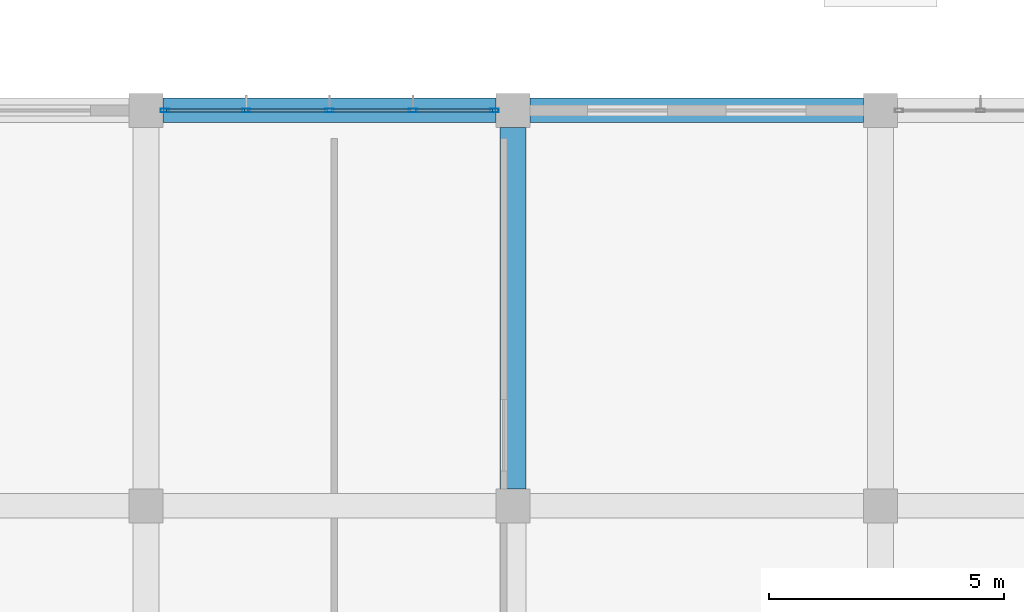
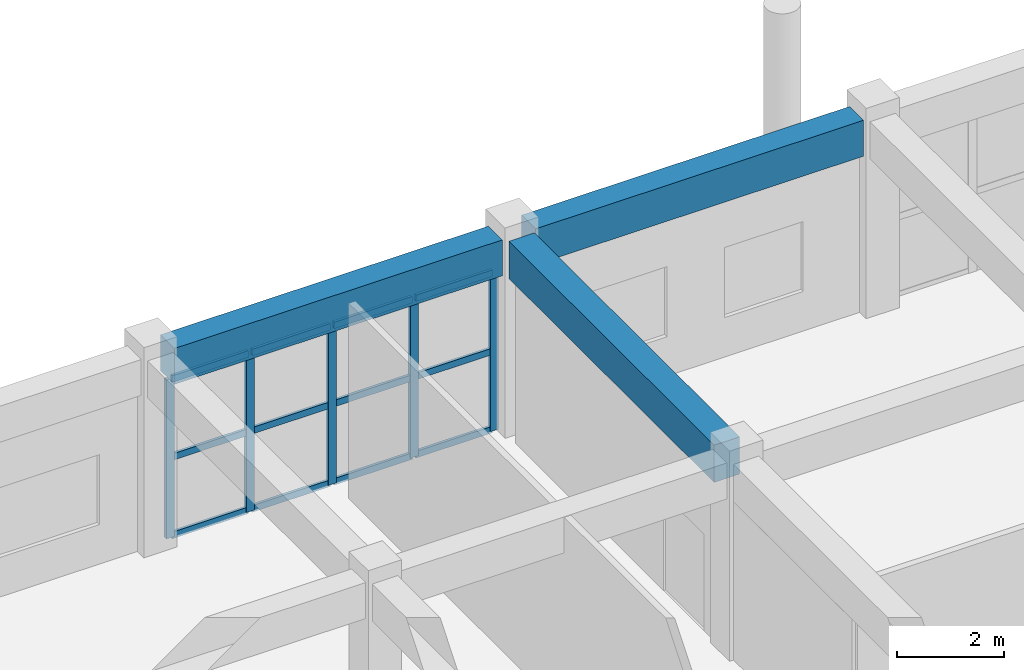
# One storey, part 84 of 139: 17 members, 3 beams, 1 element without a shape of its own.
"""IFC4 building model written with IfcOpenShell, lengths in metres."""

from ifc_helpers import new_model, si_unit, direction, frame, origin, origin_2d, place, context, subcontext, project, spatial, rectangle, hollow_rectangle, extrude, material, layer, layer_set, material_profile, profile_set, type_object, element, aggregate, save


model = new_model("IFC4")

# Units and contexts
model_context = context("Model", 3, precision=1e-05, world=origin(), true_north=direction((0.0, 1.0)))
body_context = subcontext(model_context, "Body", "Model", "MODEL_VIEW")
ifc_project = project(units=[si_unit("LENGTHUNIT", "METRE"), si_unit("AREAUNIT", "SQUARE_METRE"), si_unit("VOLUMEUNIT", "CUBIC_METRE"), si_unit("PLANEANGLEUNIT", "RADIAN"), si_unit("MASSUNIT", "GRAM", prefix="KILO")], contexts=[model_context])

# Site, building, storey
site_placement = place(None, origin())
site = spatial("IfcSite", under=ifc_project, at=site_placement, CompositionType="ELEMENT")
building_placement = place(site_placement, origin())
building = spatial("IfcBuilding", under=site, at=building_placement, Name="Zizhar Promenade General Hospital", CompositionType="ELEMENT")
storey_placement = place(building_placement, origin())
storey = spatial("IfcBuildingStorey", under=building, at=storey_placement, Name="L00", CompositionType="ELEMENT", Elevation=0.0)

# Beams
ifc_material_1 = material(Name="Concrete C35/45", Category="concrete")
ifc_material_profile_1 = material_profile(ifc_material_1, rectangle(XDim=0.52001953125, YDim=0.820068359375, at=origin_2d()))
ifc_profile_set_1 = profile_set([ifc_material_profile_1], Name="Concrete C35/45")
beam_type_1 = type_object("IfcBeamType", Name="BM-RC-520x820", PredefinedType="BEAM", material=ifc_profile_set_1)
beam_1_placement = place(storey_placement, frame((140.760009765625, 109.199951171875, 4.06005859375), z_axis=(1.0, 0.0, 0.0), x_axis=(0.0, 1.0, 0.0)))
element("IfcBeam", 1, at=beam_1_placement, inside=storey, type_object=beam_type_1, Name="Grid Beam X L00 (18-13)", PredefinedType="BEAM", context=body_context, shape_type="SweptSolid", body=[
    extrude(rectangle(XDim=0.52001953125, YDim=0.820068359375, at=origin_2d()), origin(), (0.0, 0.0, 1.0), 7.080078125),
])
beam_2_placement = place(storey_placement, frame((148.56005859375, 109.199951171875, 4.06005859375), z_axis=(1.0, 0.0, 0.0), x_axis=(0.0, 1.0, 0.0)))
element("IfcBeam", 2, at=beam_2_placement, inside=storey, type_object=beam_type_1, Name="Grid Beam X L00 (19-13)", PredefinedType="BEAM", context=body_context, shape_type="SweptSolid", body=[
    extrude(rectangle(XDim=0.52001953125, YDim=0.820068359375, at=origin_2d()), origin(), (0.0, 0.0, 1.0), 7.079833984375),
])
ifc_material_2 = material(Name="Concrete C35/45", Category="concrete")
ifc_material_profile_2 = material_profile(ifc_material_2, rectangle(XDim=0.550048828125, YDim=0.85009765625, at=origin_2d()))
ifc_profile_set_2 = profile_set([ifc_material_profile_2], Name="Concrete C35/45")
beam_type_2 = type_object("IfcBeamType", Name="BM-RC-550x850", PredefinedType="BEAM", material=ifc_profile_set_2)
beam_3_placement = place(storey_placement, frame((148.199951171875, 101.159912109375, 4.044921875), z_axis=(0.0, 1.0, 0.0), x_axis=(-1.0, 0.0, 0.0)))
element("IfcBeam", 3, at=beam_3_placement, inside=storey, type_object=beam_type_2, Name="Grid Beam Y L00 (19-12)", PredefinedType="BEAM", context=body_context, shape_type="SweptSolid", body=[
    extrude(rectangle(XDim=0.550048828125, YDim=0.85009765625, at=origin_2d()), origin(), (0.0, 0.0, 1.0), 7.68017578125),
])

# Curtain wall, members
ifc_material_3 = material(Name="Anodised aluminium 6063-T6 and low-E glass", Category="aluminium")
ifc_layer = layer(ifc_material_3, 0.159912109375)
ifc_layer_set = layer_set([ifc_layer], Name="Anodised aluminium 6063-T6 and low-E glass")
curtain_wall_type = type_object("IfcCurtainWallType", Name="CW-CLN-EXT", PredefinedType="NOTDEFINED", material=ifc_layer_set)
curtain_wall_placement = place(storey_placement, origin())
curtain_wall = element("IfcCurtainWall", 4, at=curtain_wall_placement, inside=storey, type_object=curtain_wall_type, Name="Outpatient North Curtain Wall L00-18", PredefinedType="NOTDEFINED")
ifc_material_4 = material(Name="Anodised aluminium 6063-T6", Category="aluminium")
ifc_material_profile_3 = material_profile(ifc_material_4, hollow_rectangle(XDim=0.080078125, YDim=0.179931640625, WallThickness=0.0048828125, at=origin_2d()))
ifc_profile_set_3 = profile_set([ifc_material_profile_3], Name="Anodised aluminium 6063-T6")
member_type_1 = type_object("IfcMemberType", Name="CWM-ALU-180x80", PredefinedType="MULLION", material=ifc_profile_set_3)
member_1_placement = place(storey_placement, frame((140.800048828125, 109.199951171875, 0.0), z_axis=(0.0, 0.0, 1.0), x_axis=(0.0, 1.0, 0.0)))
member_1 = element("IfcMember", 5, at=member_1_placement, type_object=member_type_1, Name="CW-09 mullion 1", PredefinedType="MULLION", context=body_context, shape_type="SweptSolid", body=[
    extrude(hollow_rectangle(XDim=0.080078125, YDim=0.179931640625, WallThickness=0.0048828125, at=origin_2d()), origin(), (0.0, 0.0, 1.0), 3.6298828125),
])
member_2_placement = place(storey_placement, frame((142.530029296875, 109.199951171875, 0.0), z_axis=(0.0, 0.0, 1.0), x_axis=(0.0, 1.0, 0.0)))
member_2 = element("IfcMember", 6, at=member_2_placement, type_object=member_type_1, Name="CW-09 mullion 2", PredefinedType="MULLION", context=body_context, shape_type="SweptSolid", body=[
    extrude(hollow_rectangle(XDim=0.080078125, YDim=0.179931640625, WallThickness=0.0048828125, at=origin_2d()), origin(), (0.0, 0.0, 1.0), 3.6298828125),
])
member_3_placement = place(storey_placement, frame((144.300048828125, 109.199951171875, 0.0), z_axis=(0.0, 0.0, 1.0), x_axis=(0.0, 1.0, 0.0)))
member_3 = element("IfcMember", 7, at=member_3_placement, type_object=member_type_1, Name="CW-09 mullion 3", PredefinedType="MULLION", context=body_context, shape_type="SweptSolid", body=[
    extrude(hollow_rectangle(XDim=0.080078125, YDim=0.179931640625, WallThickness=0.0048828125, at=origin_2d()), origin(), (0.0, 0.0, 1.0), 3.6298828125),
])
member_4_placement = place(storey_placement, frame((146.070068359375, 109.199951171875, 0.0), z_axis=(0.0, 0.0, 1.0), x_axis=(0.0, 1.0, 0.0)))
member_4 = element("IfcMember", 8, at=member_4_placement, type_object=member_type_1, Name="CW-09 mullion 4", PredefinedType="MULLION", context=body_context, shape_type="SweptSolid", body=[
    extrude(hollow_rectangle(XDim=0.080078125, YDim=0.179931640625, WallThickness=0.0048828125, at=origin_2d()), origin(), (0.0, 0.0, 1.0), 3.6298828125),
])
member_5_placement = place(storey_placement, frame((147.800048828125, 109.199951171875, 0.0), z_axis=(0.0, 0.0, 1.0), x_axis=(0.0, 1.0, 0.0)))
member_5 = element("IfcMember", 9, at=member_5_placement, type_object=member_type_1, Name="CW-09 mullion 5", PredefinedType="MULLION", context=body_context, shape_type="SweptSolid", body=[
    extrude(hollow_rectangle(XDim=0.080078125, YDim=0.179931640625, WallThickness=0.0048828125, at=origin_2d()), origin(), (0.0, 0.0, 1.0), 3.6298828125),
])
ifc_material_5 = material(Name="Anodised aluminium 6063-T6", Category="aluminium")
ifc_material_profile_4 = material_profile(ifc_material_5, hollow_rectangle(XDim=0.06005859375, YDim=0.14990234375, WallThickness=0.00390625, at=origin_2d()))
ifc_profile_set_4 = profile_set([ifc_material_profile_4], Name="Anodised aluminium 6063-T6")
member_type_2 = type_object("IfcMemberType", Name="CWT-ALU-150x60", PredefinedType="USERDEFINED", material=ifc_profile_set_4)
member_6_placement = place(storey_placement, frame((140.840087890625, 109.199951171875, 0.030029296875), z_axis=(1.0, 0.0, 0.0), x_axis=(0.0, 1.0, 0.0)))
member_6 = element("IfcMember", 10, at=member_6_placement, type_object=member_type_2, Name="CW-09 transom 1.1", ObjectType="TRANSOM", PredefinedType="USERDEFINED", context=body_context, shape_type="SweptSolid", body=[
    extrude(hollow_rectangle(XDim=0.06005859375, YDim=0.14990234375, WallThickness=0.00390625, at=origin_2d()), origin(), (0.0, 0.0, 1.0), 1.64990234375),
])
member_7_placement = place(storey_placement, frame((140.840087890625, 109.199951171875, 1.81494140625), z_axis=(1.0, 0.0, 0.0), x_axis=(0.0, 1.0, 0.0)))
member_7 = element("IfcMember", 11, at=member_7_placement, type_object=member_type_2, Name="CW-09 transom 1.2", ObjectType="TRANSOM", PredefinedType="USERDEFINED", context=body_context, shape_type="SweptSolid", body=[
    extrude(hollow_rectangle(XDim=0.06005859375, YDim=0.14990234375, WallThickness=0.00390625, at=origin_2d()), origin(), (0.0, 0.0, 1.0), 1.64990234375),
])
member_8_placement = place(storey_placement, frame((140.840087890625, 109.199951171875, 3.60009765625), z_axis=(1.0, 0.0, 0.0), x_axis=(0.0, 1.0, 0.0)))
member_8 = element("IfcMember", 12, at=member_8_placement, type_object=member_type_2, Name="CW-09 transom 1.3", ObjectType="TRANSOM", PredefinedType="USERDEFINED", context=body_context, shape_type="SweptSolid", body=[
    extrude(hollow_rectangle(XDim=0.06005859375, YDim=0.14990234375, WallThickness=0.00390625, at=origin_2d()), origin(), (0.0, 0.0, 1.0), 1.64990234375),
])
member_9_placement = place(storey_placement, frame((142.570068359375, 109.199951171875, 0.030029296875), z_axis=(1.0, 0.0, 0.0), x_axis=(0.0, 1.0, 0.0)))
member_9 = element("IfcMember", 13, at=member_9_placement, type_object=member_type_2, Name="CW-09 transom 2.1", ObjectType="TRANSOM", PredefinedType="USERDEFINED", context=body_context, shape_type="SweptSolid", body=[
    extrude(hollow_rectangle(XDim=0.06005859375, YDim=0.14990234375, WallThickness=0.00390625, at=origin_2d()), origin(), (0.0, 0.0, 1.0), 1.68994140625),
])
member_10_placement = place(storey_placement, frame((142.570068359375, 109.199951171875, 1.81494140625), z_axis=(1.0, 0.0, 0.0), x_axis=(0.0, 1.0, 0.0)))
member_10 = element("IfcMember", 14, at=member_10_placement, type_object=member_type_2, Name="CW-09 transom 2.2", ObjectType="TRANSOM", PredefinedType="USERDEFINED", context=body_context, shape_type="SweptSolid", body=[
    extrude(hollow_rectangle(XDim=0.06005859375, YDim=0.14990234375, WallThickness=0.00390625, at=origin_2d()), origin(), (0.0, 0.0, 1.0), 1.68994140625),
])
member_11_placement = place(storey_placement, frame((142.570068359375, 109.199951171875, 3.60009765625), z_axis=(1.0, 0.0, 0.0), x_axis=(0.0, 1.0, 0.0)))
member_11 = element("IfcMember", 15, at=member_11_placement, type_object=member_type_2, Name="CW-09 transom 2.3", ObjectType="TRANSOM", PredefinedType="USERDEFINED", context=body_context, shape_type="SweptSolid", body=[
    extrude(hollow_rectangle(XDim=0.06005859375, YDim=0.14990234375, WallThickness=0.00390625, at=origin_2d()), origin(), (0.0, 0.0, 1.0), 1.68994140625),
])
member_12_placement = place(storey_placement, frame((144.340087890625, 109.199951171875, 0.030029296875), z_axis=(1.0, 0.0, 0.0), x_axis=(0.0, 1.0, 0.0)))
member_12 = element("IfcMember", 16, at=member_12_placement, type_object=member_type_2, Name="CW-09 transom 3.1", ObjectType="TRANSOM", PredefinedType="USERDEFINED", context=body_context, shape_type="SweptSolid", body=[
    extrude(hollow_rectangle(XDim=0.06005859375, YDim=0.14990234375, WallThickness=0.00390625, at=origin_2d()), origin(), (0.0, 0.0, 1.0), 1.68994140625),
])
member_13_placement = place(storey_placement, frame((144.340087890625, 109.199951171875, 1.81494140625), z_axis=(1.0, 0.0, 0.0), x_axis=(0.0, 1.0, 0.0)))
member_13 = element("IfcMember", 17, at=member_13_placement, type_object=member_type_2, Name="CW-09 transom 3.2", ObjectType="TRANSOM", PredefinedType="USERDEFINED", context=body_context, shape_type="SweptSolid", body=[
    extrude(hollow_rectangle(XDim=0.06005859375, YDim=0.14990234375, WallThickness=0.00390625, at=origin_2d()), origin(), (0.0, 0.0, 1.0), 1.68994140625),
])
member_14_placement = place(storey_placement, frame((144.340087890625, 109.199951171875, 3.60009765625), z_axis=(1.0, 0.0, 0.0), x_axis=(0.0, 1.0, 0.0)))
member_14 = element("IfcMember", 18, at=member_14_placement, type_object=member_type_2, Name="CW-09 transom 3.3", ObjectType="TRANSOM", PredefinedType="USERDEFINED", context=body_context, shape_type="SweptSolid", body=[
    extrude(hollow_rectangle(XDim=0.06005859375, YDim=0.14990234375, WallThickness=0.00390625, at=origin_2d()), origin(), (0.0, 0.0, 1.0), 1.68994140625),
])
member_15_placement = place(storey_placement, frame((146.110107421875, 109.199951171875, 0.030029296875), z_axis=(1.0, 0.0, 0.0), x_axis=(0.0, 1.0, 0.0)))
member_15 = element("IfcMember", 19, at=member_15_placement, type_object=member_type_2, Name="CW-09 transom 4.1", ObjectType="TRANSOM", PredefinedType="USERDEFINED", context=body_context, shape_type="SweptSolid", body=[
    extrude(hollow_rectangle(XDim=0.06005859375, YDim=0.14990234375, WallThickness=0.00390625, at=origin_2d()), origin(), (0.0, 0.0, 1.0), 1.64990234375),
])
member_16_placement = place(storey_placement, frame((146.110107421875, 109.199951171875, 1.81494140625), z_axis=(1.0, 0.0, 0.0), x_axis=(0.0, 1.0, 0.0)))
member_16 = element("IfcMember", 20, at=member_16_placement, type_object=member_type_2, Name="CW-09 transom 4.2", ObjectType="TRANSOM", PredefinedType="USERDEFINED", context=body_context, shape_type="SweptSolid", body=[
    extrude(hollow_rectangle(XDim=0.06005859375, YDim=0.14990234375, WallThickness=0.00390625, at=origin_2d()), origin(), (0.0, 0.0, 1.0), 1.64990234375),
])
member_17_placement = place(storey_placement, frame((146.110107421875, 109.199951171875, 3.60009765625), z_axis=(1.0, 0.0, 0.0), x_axis=(0.0, 1.0, 0.0)))
member_17 = element("IfcMember", 21, at=member_17_placement, type_object=member_type_2, Name="CW-09 transom 4.3", ObjectType="TRANSOM", PredefinedType="USERDEFINED", context=body_context, shape_type="SweptSolid", body=[
    extrude(hollow_rectangle(XDim=0.06005859375, YDim=0.14990234375, WallThickness=0.00390625, at=origin_2d()), origin(), (0.0, 0.0, 1.0), 1.64990234375),
])
aggregate(curtain_wall, [member_1, member_2, member_3, member_4, member_5, member_6, member_7, member_8, member_9, member_10, member_11, member_12, member_13, member_14, member_15, member_16, member_17])

save(model, "model.ifc")
